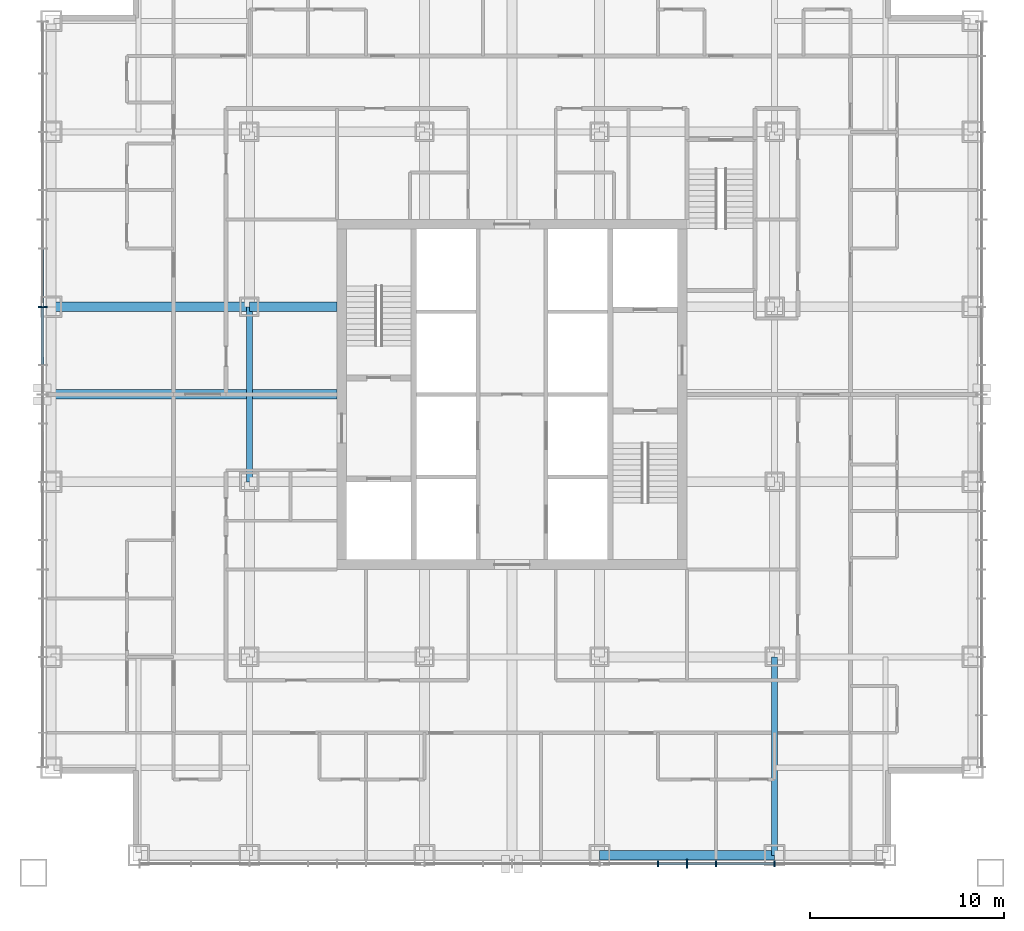
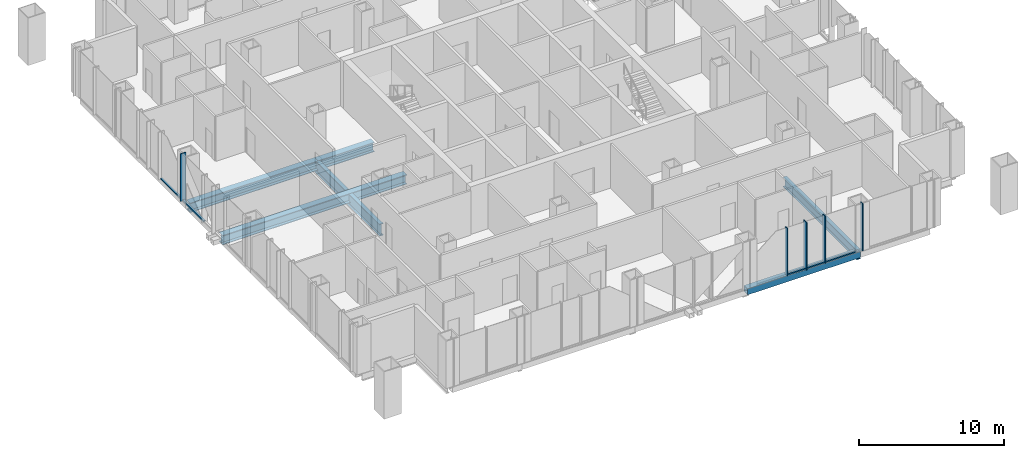
# One storey, part 3 of 17: 10 members, 6 beams, 2 elements without a shape of their own.
"""IFC4 building model written with IfcOpenShell, lengths in metres."""

from ifc_helpers import new_model, si_unit, direction, frame, origin, origin_2d, place, context, subcontext, project, spatial, rectangle, hollow_rectangle, i_section, extrude, material, layer, layer_set, material_profile, profile_set, type_object, element, aggregate, save


model = new_model("IFC4")

# Units and contexts
model_context = context("Model", 3, precision=1e-05, world=origin(), true_north=direction((0.0, 1.0)))
body_context = subcontext(model_context, "Body", "Model", "MODEL_VIEW")
ifc_project = project(units=[si_unit("LENGTHUNIT", "METRE"), si_unit("AREAUNIT", "SQUARE_METRE"), si_unit("VOLUMEUNIT", "CUBIC_METRE"), si_unit("PLANEANGLEUNIT", "RADIAN"), si_unit("MASSUNIT", "GRAM", prefix="KILO")], contexts=[model_context])

# Site, building, storey
site_placement = place(None, origin())
site = spatial("IfcSite", under=ifc_project, at=site_placement, CompositionType="ELEMENT")
building_placement = place(site_placement, origin())
building = spatial("IfcBuilding", under=site, at=building_placement, Name="Malebo Sky Hospital", CompositionType="ELEMENT")
storey_placement = place(building_placement, frame((0.0, 0.0, 120.0)))
storey = spatial("IfcBuildingStorey", under=building, at=storey_placement, Name="L28", CompositionType="ELEMENT", Elevation=120.0)

# Curtain wall, members
ifc_material_1 = material(Name="Anodised aluminium, natural silver", Category="aluminium")
ifc_layer_1 = layer(ifc_material_1, 0.25)
ifc_layer_set_1 = layer_set([ifc_layer_1], Name="WARD CURTAIN WALL EAST AND WEST")
curtain_wall_type_1 = type_object("IfcCurtainWallType", Name="WARD CURTAIN WALL EAST AND WEST", PredefinedType="NOTDEFINED", material=ifc_layer_set_1)
curtain_wall_1_placement = place(storey_placement, origin())
curtain_wall_1 = element("IfcCurtainWall", 1, at=curtain_wall_1_placement, inside=storey, type_object=curtain_wall_type_1, Name="EW curtain wall W", PredefinedType="NOTDEFINED")
ifc_material_profile_1 = material_profile(ifc_material_1, rectangle(XDim=0.14990234375, YDim=0.10009765625, at=origin_2d()), Name="ALUMINIUM TRANSOM 150x100")
ifc_profile_set_1 = profile_set([ifc_material_profile_1], Name="Anodised aluminium, natural silver")
member_type_1 = type_object("IfcMemberType", Name="ALUMINIUM TRANSOM 150x100", PredefinedType="USERDEFINED", material=ifc_profile_set_1)
member_1_placement = place(storey_placement, frame((35.864990234375, 63.53759765625, 0.050048828125), z_axis=(0.0, 1.0, 0.0), x_axis=(-1.0, 0.0, 0.0)))
member_1 = element("IfcMember", 2, at=member_1_placement, type_object=member_type_1, Name="Transom 10", ObjectType="TRANSOM", PredefinedType="USERDEFINED", context=body_context, shape_type="SweptSolid", body=[
    extrude(rectangle(XDim=0.14990234375, YDim=0.10009765625, at=origin_2d()), origin(), (0.0, 0.0, 1.0), 2.9248046875),
])
member_2_placement = place(storey_placement, frame((35.864990234375, 66.53759765625, 0.050048828125), z_axis=(0.0, 1.0, 0.0), x_axis=(-1.0, 0.0, 0.0)))
member_2 = element("IfcMember", 3, at=member_2_placement, type_object=member_type_1, Name="Transom 11", ObjectType="TRANSOM", PredefinedType="USERDEFINED", context=body_context, shape_type="SweptSolid", body=[
    extrude(rectangle(XDim=0.14990234375, YDim=0.10009765625, at=origin_2d()), origin(), (0.0, 0.0, 1.0), 2.9248046875),
])

ifc_layer_2 = layer(ifc_material_1, 0.25)
ifc_layer_set_2 = layer_set([ifc_layer_2], Name="WARD CURTAIN WALL NORTH AND SOUTH")
curtain_wall_type_2 = type_object("IfcCurtainWallType", Name="WARD CURTAIN WALL NORTH AND SOUTH", PredefinedType="NOTDEFINED", material=ifc_layer_set_2)
curtain_wall_2_placement = place(storey_placement, origin())
curtain_wall_2 = element("IfcCurtainWall", 4, at=curtain_wall_2_placement, inside=storey, type_object=curtain_wall_type_2, Name="NS curtain wall S", PredefinedType="NOTDEFINED")
member_3_placement = place(storey_placement, frame((73.46240234375, 37.864990234375, 0.050048828125), z_axis=(-1.0, 0.0, 0.0), x_axis=(0.0, -1.0, 0.0)))
member_3 = element("IfcMember", 5, at=member_3_placement, type_object=member_type_1, Name="Transom 3", ObjectType="TRANSOM", PredefinedType="USERDEFINED", context=body_context, shape_type="SweptSolid", body=[
    extrude(rectangle(XDim=0.14990234375, YDim=0.10009765625, at=origin_2d()), origin(), (0.0, 0.0, 1.0), 2.9248046875),
])
member_4_placement = place(storey_placement, frame((70.46240234375, 37.864990234375, 0.050048828125), z_axis=(-1.0, 0.0, 0.0), x_axis=(0.0, -1.0, 0.0)))
member_4 = element("IfcMember", 6, at=member_4_placement, type_object=member_type_1, Name="Transom 4", ObjectType="TRANSOM", PredefinedType="USERDEFINED", context=body_context, shape_type="SweptSolid", body=[
    extrude(rectangle(XDim=0.14990234375, YDim=0.10009765625, at=origin_2d()), origin(), (0.0, 0.0, 1.0), 1.4248046875),
])
member_5_placement = place(storey_placement, frame((68.96240234375, 37.864990234375, 0.050048828125), z_axis=(-1.0, 0.0, 0.0), x_axis=(0.0, -1.0, 0.0)))
member_5 = element("IfcMember", 7, at=member_5_placement, type_object=member_type_1, Name="Transom 5", ObjectType="TRANSOM", PredefinedType="USERDEFINED", context=body_context, shape_type="SweptSolid", body=[
    extrude(rectangle(XDim=0.14990234375, YDim=0.10009765625, at=origin_2d()), origin(), (0.0, 0.0, 1.0), 1.4248046875),
])
ifc_material_profile_2 = material_profile(ifc_material_1, rectangle(XDim=0.074951171875, YDim=0.300048828125, at=origin_2d()), Name="CW1 ALUMINIUM FIN MULLION 75x300")
ifc_profile_set_2 = profile_set([ifc_material_profile_2], Name="Anodised aluminium, natural silver")
member_type_2 = type_object("IfcMemberType", Name="CW1 ALUMINIUM FIN MULLION 75x300", PredefinedType="MULLION", material=ifc_profile_set_2)
member_6_placement = place(storey_placement, frame((73.5, 37.864990234375, 0.0), z_axis=(0.0, 0.0, 1.0), x_axis=(-1.0, 0.0, 0.0)))
member_6 = element("IfcMember", 8, at=member_6_placement, type_object=member_type_2, Name="Fin mullion 3", PredefinedType="MULLION", context=body_context, shape_type="SweptSolid", body=[
    extrude(rectangle(XDim=0.074951171875, YDim=0.300048828125, at=origin_2d()), origin(), (0.0, 0.0, 1.0), 4.0),
])
member_7_placement = place(storey_placement, frame((70.5, 37.864990234375, 0.0), z_axis=(0.0, 0.0, 1.0), x_axis=(-1.0, 0.0, 0.0)))
member_7 = element("IfcMember", 9, at=member_7_placement, type_object=member_type_2, Name="Fin mullion 4", PredefinedType="MULLION", context=body_context, shape_type="SweptSolid", body=[
    extrude(rectangle(XDim=0.074951171875, YDim=0.300048828125, at=origin_2d()), origin(), (0.0, 0.0, 1.0), 4.0),
])
member_8_placement = place(storey_placement, frame((67.5, 37.864990234375, 0.0), z_axis=(0.0, 0.0, 1.0), x_axis=(-1.0, 0.0, 0.0)))
member_8 = element("IfcMember", 10, at=member_8_placement, type_object=member_type_2, Name="Fin mullion 6", PredefinedType="MULLION", context=body_context, shape_type="SweptSolid", body=[
    extrude(rectangle(XDim=0.074951171875, YDim=0.300048828125, at=origin_2d()), origin(), (0.0, 0.0, 1.0), 4.0),
])
ifc_material_profile_3 = material_profile(ifc_material_1, rectangle(XDim=0.074951171875, YDim=0.449951171875, at=origin_2d()), Name="CW1 ALUMINIUM FIN MULLION 75x450")
ifc_profile_set_3 = profile_set([ifc_material_profile_3], Name="Anodised aluminium, natural silver")
member_type_3 = type_object("IfcMemberType", Name="CW1 ALUMINIUM FIN MULLION 75x450", PredefinedType="MULLION", material=ifc_profile_set_3)
member_9_placement = place(storey_placement, frame((69.0, 37.864990234375, 0.0), z_axis=(0.0, 0.0, 1.0), x_axis=(-1.0, 0.0, 0.0)))
member_9 = element("IfcMember", 11, at=member_9_placement, type_object=member_type_3, Name="Fin mullion 5", PredefinedType="MULLION", context=body_context, shape_type="SweptSolid", body=[
    extrude(rectangle(XDim=0.074951171875, YDim=0.449951171875, at=origin_2d()), origin(), (0.0, 0.0, 1.0), 4.0),
])
aggregate(curtain_wall_2, [member_6, member_7, member_9, member_8, member_3, member_4, member_5])

# Member
ifc_material_profile_4 = material_profile(ifc_material_1, rectangle(XDim=0.074951171875, YDim=0.449951171875, at=origin_2d()), Name="CW2 ALUMINIUM FIN MULLION 75x450")
ifc_profile_set_4 = profile_set([ifc_material_profile_4], Name="Anodised aluminium, natural silver")
member_type_4 = type_object("IfcMemberType", Name="CW2 ALUMINIUM FIN MULLION 75x450", PredefinedType="MULLION", material=ifc_profile_set_4)
member_10_placement = place(storey_placement, frame((35.864990234375, 66.5, 0.0), z_axis=(0.0, 0.0, 1.0), x_axis=(0.0, 1.0, 0.0)))
member_10 = element("IfcMember", 12, at=member_10_placement, type_object=member_type_4, Name="Fin mullion 11", PredefinedType="MULLION", context=body_context, shape_type="SweptSolid", body=[
    extrude(rectangle(XDim=0.074951171875, YDim=0.449951171875, at=origin_2d()), origin(), (0.0, 0.0, 1.0), 4.0),
])

aggregate(curtain_wall_1, [member_10, member_1, member_2])

# Beams
ifc_material_2 = material(Name="Steel S460", Category="steel")
ifc_material_profile_5 = material_profile(ifc_material_2, hollow_rectangle(XDim=0.5, YDim=0.5, WallThickness=0.030029296875, at=origin_2d()), Name="BOX 500x500x30")
ifc_profile_set_5 = profile_set([ifc_material_profile_5], Name="Steel S460")
beam_type_1 = type_object("IfcBeamType", Name="EDGE BEAM BOX 500x500x30", PredefinedType="BEAM", material=ifc_profile_set_5)
beam_1_placement = place(storey_placement, frame((64.5, 38.300048828125, -0.5), z_axis=(1.0, 0.0, 0.0), x_axis=(0.0, 1.0, 0.0)))
element("IfcBeam", 13, at=beam_1_placement, inside=storey, type_object=beam_type_1, Name="Beam 037 L28", PredefinedType="BEAM", context=body_context, shape_type="SweptSolid", body=[
    extrude(hollow_rectangle(XDim=0.5, YDim=0.5, WallThickness=0.030029296875, at=origin_2d()), origin(), (0.0, 0.0, 1.0), 9.0),
])
ifc_material_3 = material(Name="Steel S355", Category="steel")
ifc_material_profile_6 = material_profile(ifc_material_3, i_section(OverallWidth=0.5, OverallDepth=0.800048828125, WebThickness=0.030029296875, FlangeThickness=0.050048828125, at=origin_2d()), Name="PG 800x500x30x50")
ifc_profile_set_6 = profile_set([ifc_material_profile_6], Name="Steel S355")
beam_type_2 = type_object("IfcBeamType", Name="FLOOR BEAM PG 800x500x30x50", PredefinedType="BEAM", material=ifc_profile_set_6)
beam_2_placement = place(storey_placement, frame((36.300048828125, 62.0, -0.64990234375), z_axis=(1.0, 0.0, 0.0), x_axis=(0.0, 1.0, 0.0)))
element("IfcBeam", 14, at=beam_2_placement, inside=storey, type_object=beam_type_2, Name="Beam 050 L28", PredefinedType="BEAM", context=body_context, shape_type="SweptSolid", body=[
    extrude(i_section(OverallWidth=0.5, OverallDepth=0.800048828125, WebThickness=0.030029296875, FlangeThickness=0.050048828125, at=origin_2d()), origin(), (0.0, 0.0, 1.0), 14.699951171875),
])
beam_3_placement = place(storey_placement, frame((36.300048828125, 66.5, -0.64990234375), z_axis=(1.0, 0.0, 0.0), x_axis=(0.0, 1.0, 0.0)))
element("IfcBeam", 15, at=beam_3_placement, inside=storey, type_object=beam_type_2, Name="Beam 052 L28", PredefinedType="BEAM", context=body_context, shape_type="SweptSolid", body=[
    extrude(i_section(OverallWidth=0.5, OverallDepth=0.800048828125, WebThickness=0.030029296875, FlangeThickness=0.050048828125, at=origin_2d()), origin(), (0.0, 0.0, 1.0), 10.199951171875),
])
beam_4_placement = place(storey_placement, frame((46.5, 66.5, -0.64990234375), z_axis=(1.0, 0.0, 0.0), x_axis=(0.0, 1.0, 0.0)))
element("IfcBeam", 16, at=beam_4_placement, inside=storey, type_object=beam_type_2, Name="Beam 053 L28", PredefinedType="BEAM", context=body_context, shape_type="SweptSolid", body=[
    extrude(i_section(OverallWidth=0.5, OverallDepth=0.800048828125, WebThickness=0.030029296875, FlangeThickness=0.050048828125, at=origin_2d()), origin(), (0.0, 0.0, 1.0), 4.5),
])
ifc_material_profile_7 = material_profile(ifc_material_3, i_section(OverallWidth=0.300048828125, OverallDepth=0.800048828125, WebThickness=0.017578125, FlangeThickness=0.032958984375, FilletRadius=0.030029296875, at=origin_2d()), Name="HEB 800")
ifc_profile_set_7 = profile_set([ifc_material_profile_7], Name="Steel S355")
beam_type_3 = type_object("IfcBeamType", Name="FLOOR GIRDER HEB 800", PredefinedType="BEAM", material=ifc_profile_set_7)
beam_5_placement = place(storey_placement, frame((73.5, 38.300048828125, -0.64990234375), z_axis=(0.0, 1.0, 0.0), x_axis=(-1.0, 0.0, 0.0)))
element("IfcBeam", 17, at=beam_5_placement, inside=storey, type_object=beam_type_3, Name="Beam 022 L28", PredefinedType="BEAM", context=body_context, shape_type="SweptSolid", body=[
    extrude(i_section(OverallWidth=0.300048828125, OverallDepth=0.800048828125, WebThickness=0.017578125, FlangeThickness=0.032958984375, FilletRadius=0.030029296875, at=origin_2d()), origin(), (0.0, 0.0, 1.0), 10.199951171875),
])
ifc_material_profile_8 = material_profile(ifc_material_3, i_section(OverallWidth=0.300048828125, OverallDepth=1.0, WebThickness=0.01904296875, FlangeThickness=0.035888671875, FilletRadius=0.030029296875, at=origin_2d()), Name="HEB 1000")
ifc_profile_set_8 = profile_set([ifc_material_profile_8], Name="Steel S355")
beam_type_4 = type_object("IfcBeamType", Name="RING GIRDER HEB 1000", PredefinedType="BEAM", material=ifc_profile_set_8)
beam_6_placement = place(storey_placement, frame((46.5, 57.5, -0.75), z_axis=(0.0, 1.0, 0.0), x_axis=(-1.0, 0.0, 0.0)))
element("IfcBeam", 18, at=beam_6_placement, inside=storey, type_object=beam_type_4, Name="Beam 009 L28", PredefinedType="BEAM", context=body_context, shape_type="SweptSolid", body=[
    extrude(i_section(OverallWidth=0.300048828125, OverallDepth=1.0, WebThickness=0.01904296875, FlangeThickness=0.035888671875, FilletRadius=0.030029296875, at=origin_2d()), origin(), (0.0, 0.0, 1.0), 9.0),
])

save(model, "model.ifc")
